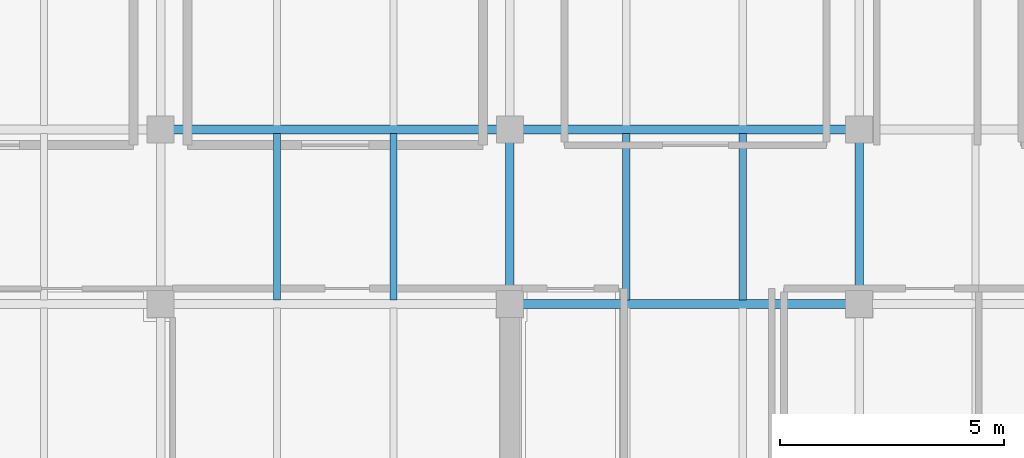
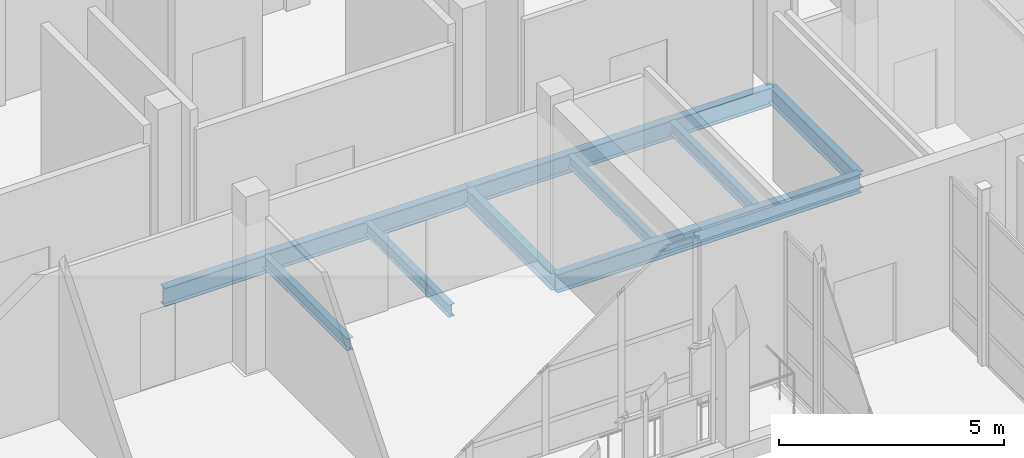
# One storey, part 55 of 138: 9 beams.
"""IFC4 building model written with IfcOpenShell, lengths in metres."""

import ifcopenshell
import ifcopenshell.guid

model = None  # the IFC model being written
_history = None  # IfcOwnerHistory: only IFC2X3 demands one
_inside = {}  # id of a spatial element -> (the spatial element, [elements in it])
_under = {}  # id of a project, library or spatial element -> (it, [spatial elements below it])
_declared = {}  # id of a project -> (the project, [libraries it declares])
_typed = {}  # id of a type object -> (the type object, [elements of that type])
_made_of = {}  # id of a material, layer set ... -> (it, [elements and type objects made of it])


def new_model(schema):
    """Start an empty IFC model of exactly this schema.

    Asked for "IFC4X3", IfcOpenShell would pick the latest addendum, in which some entities
    have other attributes; the version numbers below select the first issue.
    IFC2X3 requires an IfcOwnerHistory on every rooted entity: one is made here for all.
    """
    global model, _history
    if schema == "IFC4X3":
        model = ifcopenshell.file(schema_version=(4, 3, 0, 0))
    else:
        model = ifcopenshell.file(schema=schema)
    _inside.clear()
    _under.clear()
    _declared.clear()
    _typed.clear()
    _made_of.clear()
    _history = None
    if model.schema == "IFC2X3":
        org = make("IfcOrganization", Name="unknown")
        user = make(
            "IfcPersonAndOrganization",
            ThePerson=make("IfcPerson", FamilyName="unknown"),
            TheOrganization=org,
        )
        app = make(
            "IfcApplication",
            ApplicationDeveloper=org,
            Version="unknown",
            ApplicationFullName="unknown",
            ApplicationIdentifier="unknown",
        )
        _history = make(
            "IfcOwnerHistory",
            OwningUser=user,
            OwningApplication=app,
            ChangeAction="ADDED",
            CreationDate=0,
        )
    return model


def make(cls, **values):
    """One entity of the class cls with the attributes given. An attribute that is None is left unset."""
    return model.create_entity(
        cls, **{name: value for name, value in values.items() if value is not None}
    )


def rooted(cls, **values):
    """An entity with a GlobalId (a new one), such as an element, a storey or a relation."""
    return make(cls, GlobalId=ifcopenshell.guid.new(), OwnerHistory=_history, **values)


def si_unit(unit_type, name, prefix=None):
    """IfcSIUnit, for example si_unit("LENGTHUNIT", "METRE", prefix="MILLI")."""
    return make("IfcSIUnit", UnitType=unit_type, Prefix=prefix, Name=name)


def assignment(units):
    """IfcUnitAssignment: the units of a project."""
    return None if units is None else make("IfcUnitAssignment", Units=units)


def point(xyz):
    """IfcCartesianPoint."""
    return None if xyz is None else make("IfcCartesianPoint", Coordinates=xyz)


def direction(xyz):
    """IfcDirection."""
    return None if xyz is None else make("IfcDirection", DirectionRatios=xyz)


def frame(location, z_axis=None, x_axis=None):
    """IfcAxis2Placement3D, a coordinate frame: its origin and axes. An axis left out is left unset."""
    return make(
        "IfcAxis2Placement3D",
        Location=point(location),
        Axis=direction(z_axis),
        RefDirection=direction(x_axis),
    )


def frame_2d(location, x_axis=None):
    """IfcAxis2Placement2D, a coordinate frame in the plane: its origin and x axis."""
    return make(
        "IfcAxis2Placement2D", Location=point(location), RefDirection=direction(x_axis)
    )


def origin():
    """The frame at (0, 0, 0) with its axes left unset."""
    return frame((0.0, 0.0, 0.0))


def origin_2d():
    """The frame at (0, 0) in the plane with its x axis left unset."""
    return frame_2d((0.0, 0.0))


def place(relative_to, where):
    """IfcLocalPlacement: puts the frame where relative to a parent placement (None: the world)."""
    return make(
        "IfcLocalPlacement", PlacementRelTo=relative_to, RelativePlacement=where
    )


def context(
    kind, dimensions, precision=None, world=None, true_north=None, identifier=None
):
    """IfcGeometricRepresentationContext, for example the 3D "Model" context."""
    return make(
        "IfcGeometricRepresentationContext",
        ContextIdentifier=identifier,
        ContextType=kind,
        CoordinateSpaceDimension=dimensions,
        Precision=precision,
        WorldCoordinateSystem=world,
        TrueNorth=true_north,
    )


def subcontext(parent, identifier, kind, view, scale=None):
    """IfcGeometricRepresentationSubContext, for example "Body" below "Model"."""
    return make(
        "IfcGeometricRepresentationSubContext",
        ContextIdentifier=identifier,
        ContextType=kind,
        ParentContext=parent,
        TargetScale=scale,
        TargetView=view,
    )


def project(units=None, contexts=None):
    """IfcProject with its units and contexts."""
    return rooted(
        "IfcProject",
        Name="project",
        RepresentationContexts=contexts,
        UnitsInContext=assignment(units),
    )


def spatial(cls, under=None, at=None, **own):
    """A site, building, storey or space (cls), placed at a placement, below another one or the project."""
    s = rooted(cls, ObjectPlacement=at, **own)
    if under is not None:
        _under.setdefault(under.id(), (under, []))[1].append(s)
    return s


def profile(cls, at=None, kind="AREA", **sizes):
    """A parametric profile (cls). Its sizes go by their IFC names, for example OverallWidth=200.0."""
    return make(cls, ProfileType=kind, Position=at, **sizes)


def i_section(**sizes):
    """IfcIShapeProfileDef."""
    return profile("IfcIShapeProfileDef", **sizes)


def extrude(swept, where, along, depth):
    """IfcExtrudedAreaSolid: the profile swept, set in the frame where, extruded along a direction by depth."""
    return make(
        "IfcExtrudedAreaSolid",
        SweptArea=swept,
        Position=where,
        ExtrudedDirection=direction(along),
        Depth=depth,
    )


def shape(context_of_items, identifier, shape_type, items):
    """IfcShapeRepresentation: the items that make up one representation, for example the "Body"."""
    return make(
        "IfcShapeRepresentation",
        ContextOfItems=context_of_items,
        RepresentationIdentifier=identifier,
        RepresentationType=shape_type,
        Items=items,
    )


def material(Name=None, Category=None):
    """IfcMaterial."""
    return make("IfcMaterial", Name=Name, Category=Category)


def material_profile(
    of_material, cross_section, Name=None, Category=None, Priority=None
):
    """IfcMaterialProfile: a cross section and its material."""
    return make(
        "IfcMaterialProfile",
        Name=Name,
        Material=of_material,
        Profile=cross_section,
        Priority=Priority,
        Category=Category,
    )


def profile_set(profiles, Name=None, composite=None):
    """IfcMaterialProfileSet."""
    return make(
        "IfcMaterialProfileSet",
        Name=Name,
        MaterialProfiles=profiles,
        CompositeProfile=composite,
    )


def made_of(thing, what):
    """Note that an element or type object is made of a material, layer set ...; save() writes the relation."""
    if what is not None:
        _made_of.setdefault(what.id(), (what, []))[1].append(thing)
    return thing


def type_object(cls, material=None, **own):
    """A type object (cls), such as IfcWallType, which elements share."""
    return made_of(rooted(cls, **own), material)


def element(
    cls,
    number,
    at=None,
    inside=None,
    cuts=None,
    type_object=None,
    material=None,
    context=None,
    identifier="Body",
    shape_type=None,
    held_by="IfcProductDefinitionShape",
    body=None,
    shapes=None,
    **own,
):
    """One element of the class cls, such as IfcWall. Its Tag is "e" and its number.

    at: its placement. inside: the storey or other place that contains it. cuts: it is an
    opening in that element (IfcRelVoidsElement). A single representation is given by context,
    identifier, shape_type and body (its items); several are given by shapes. held_by: the class
    of the entity that holds the representations. save() writes the other relations.
    """
    e = rooted(cls, Tag="e%d" % number, ObjectPlacement=at, **own)
    if body is not None:
        shapes = [shape(context, identifier, shape_type, body)]
    if shapes is not None:
        e.Representation = make(held_by, Representations=shapes)
    if inside is not None:
        _inside.setdefault(inside.id(), (inside, []))[1].append(e)
    if cuts is not None:
        rooted(
            "IfcRelVoidsElement", RelatingBuildingElement=cuts, RelatedOpeningElement=e
        )
    if type_object is not None:
        _typed.setdefault(type_object.id(), (type_object, []))[1].append(e)
    return made_of(e, material)


def aggregate(whole, parts):
    """IfcRelAggregates: a whole, such as a stair, and the parts it consists of."""
    return rooted("IfcRelAggregates", RelatingObject=whole, RelatedObjects=parts)


def save(model, path):
    """Write the relations noted so far, then the file.

    IfcRelAggregates (storeys below a building ...), IfcRelContainedInSpatialStructure (elements
    in a storey), IfcRelDefinesByType, IfcRelAssociatesMaterial and IfcRelDeclares: one each for
    every whole, place, type object, material and project.
    """
    for whole, parts in _under.values():
        aggregate(whole, parts)
    for where, things in _inside.values():
        rooted(
            "IfcRelContainedInSpatialStructure",
            RelatedElements=things,
            RelatingStructure=where,
        )
    for kind, things in _typed.values():
        rooted("IfcRelDefinesByType", RelatedObjects=things, RelatingType=kind)
    for what, things in _made_of.values():
        rooted("IfcRelAssociatesMaterial", RelatedObjects=things, RelatingMaterial=what)
    for by, libraries in _declared.values():
        rooted("IfcRelDeclares", RelatingContext=by, RelatedDefinitions=libraries)
    model.write(path)


model = new_model("IFC4")

# Units and contexts
model_context = context("Model", 3, precision=1e-05, world=origin(), true_north=direction((0.0, 1.0)))
body_context = subcontext(model_context, "Body", "Model", "MODEL_VIEW")
ifc_project = project(units=[si_unit("LENGTHUNIT", "METRE"), si_unit("AREAUNIT", "SQUARE_METRE"), si_unit("VOLUMEUNIT", "CUBIC_METRE"), si_unit("PLANEANGLEUNIT", "RADIAN"), si_unit("MASSUNIT", "GRAM", prefix="KILO")], contexts=[model_context])

# Site, building, storey
site_placement = place(None, origin())
site = spatial("IfcSite", under=ifc_project, at=site_placement, CompositionType="ELEMENT")
building_placement = place(site_placement, origin())
building = spatial("IfcBuilding", under=site, at=building_placement, Name="Celorna Specialist Clinic", CompositionType="ELEMENT")
storey_placement = place(building_placement, frame((0.0, 0.0, 4.800048828125)))
storey = spatial("IfcBuildingStorey", under=building, at=storey_placement, Name="L01", CompositionType="ELEMENT", Elevation=4.800048828125)

# Beams
ifc_material = material(Name="Steel S355", Category="steel")
ifc_material_profile_1 = material_profile(ifc_material, i_section(OverallWidth=0.199951171875, OverallDepth=0.5, WebThickness=0.01025390625, FlangeThickness=0.01611328125, at=origin_2d()), Name="IPE 500")
ifc_profile_set_1 = profile_set([ifc_material_profile_1], Name="Steel S355")
beam_type_1 = type_object("IfcBeamType", Name="BM-08", PredefinedType="BEAM", material=ifc_profile_set_1)
for number, where, z_axis, x_axis, name in (
    (1, (70.199951171875, 104.300048828125, -0.510009765625), (1.0, 0.0, 0.0), (0.0, 1.0, 0.0), "Primary girder BM-08 #888"),
    (2, (62.39990234375, 108.199951171875, -0.510009765625), (1.0, 0.0, 0.0), (0.0, 1.0, 0.0), "Primary girder BM-08 #903"),
    (3, (70.199951171875, 108.199951171875, -0.510009765625), (1.0, 0.0, 0.0), (0.0, 1.0, 0.0), "Primary girder BM-08 #904"),
):
    element("IfcBeam", number, at=place(storey_placement, frame(where, z_axis=z_axis, x_axis=x_axis)), inside=storey, type_object=beam_type_1, Name=name, PredefinedType="BEAM", context=body_context, shape_type="SweptSolid", body=[
        extrude(i_section(OverallWidth=0.199951171875, OverallDepth=0.5, WebThickness=0.01025390625, FlangeThickness=0.01611328125, at=origin_2d()), origin(), (0.0, 0.0, 1.0), 7.800048828125),
    ])
ifc_material_profile_2 = material_profile(ifc_material, i_section(OverallWidth=0.18994140625, OverallDepth=0.449951171875, WebThickness=0.009521484375, FlangeThickness=0.0146484375, at=origin_2d()), Name="IPE 450")
ifc_profile_set_2 = profile_set([ifc_material_profile_2], Name="Steel S355")
beam_type_2 = type_object("IfcBeamType", Name="BM-09", PredefinedType="BEAM", material=ifc_profile_set_2)
for number, where, z_axis, x_axis, name in (
    (4, (70.199951171875, 104.300048828125, -0.485107421875), (0.0, 1.0, 0.0), (-1.0, 0.0, 0.0), "Transverse girder BM-09 #943"),
    (5, (78.0, 104.300048828125, -0.485107421875), (0.0, 1.0, 0.0), (-1.0, 0.0, 0.0), "Transverse girder BM-09 #946"),
):
    element("IfcBeam", number, at=place(storey_placement, frame(where, z_axis=z_axis, x_axis=x_axis)), inside=storey, type_object=beam_type_2, Name=name, PredefinedType="BEAM", context=body_context, shape_type="SweptSolid", body=[
        extrude(i_section(OverallWidth=0.18994140625, OverallDepth=0.449951171875, WebThickness=0.009521484375, FlangeThickness=0.0146484375, at=origin_2d()), origin(), (0.0, 0.0, 1.0), 3.89990234375),
    ])
ifc_material_profile_3 = material_profile(ifc_material, i_section(OverallWidth=0.159912109375, OverallDepth=0.330078125, WebThickness=0.007568359375, FlangeThickness=0.011474609375, at=origin_2d()), Name="IPE 330")
ifc_profile_set_3 = profile_set([ifc_material_profile_3], Name="Steel S355")
beam_type_3 = type_object("IfcBeamType", Name="BM-12", PredefinedType="JOIST", material=ifc_profile_set_3)
for number, where, z_axis, x_axis, name in (
    (6, (65.0, 104.387939453125, -0.425048828125), (0.0, 1.0, 0.0), (-1.0, 0.0, 0.0), "Secondary floor joist BM-12 #995"),
    (7, (67.60009765625, 104.387939453125, -0.425048828125), (0.0, 1.0, 0.0), (-1.0, 0.0, 0.0), "Secondary floor joist BM-12 #996"),
    (8, (72.800048828125, 104.387939453125, -0.425048828125), (0.0, 1.0, 0.0), (-1.0, 0.0, 0.0), "Secondary floor joist BM-12 #1001"),
    (9, (75.39990234375, 104.387939453125, -0.425048828125), (0.0, 1.0, 0.0), (-1.0, 0.0, 0.0), "Secondary floor joist BM-12 #1002"),
):
    element("IfcBeam", number, at=place(storey_placement, frame(where, z_axis=z_axis, x_axis=x_axis)), inside=storey, type_object=beam_type_3, Name=name, PredefinedType="JOIST", context=body_context, shape_type="SweptSolid", body=[
        extrude(i_section(OverallWidth=0.159912109375, OverallDepth=0.330078125, WebThickness=0.007568359375, FlangeThickness=0.011474609375, at=origin_2d()), origin(), (0.0, 0.0, 1.0), 3.72412109375),
    ])

save(model, "model.ifc")
